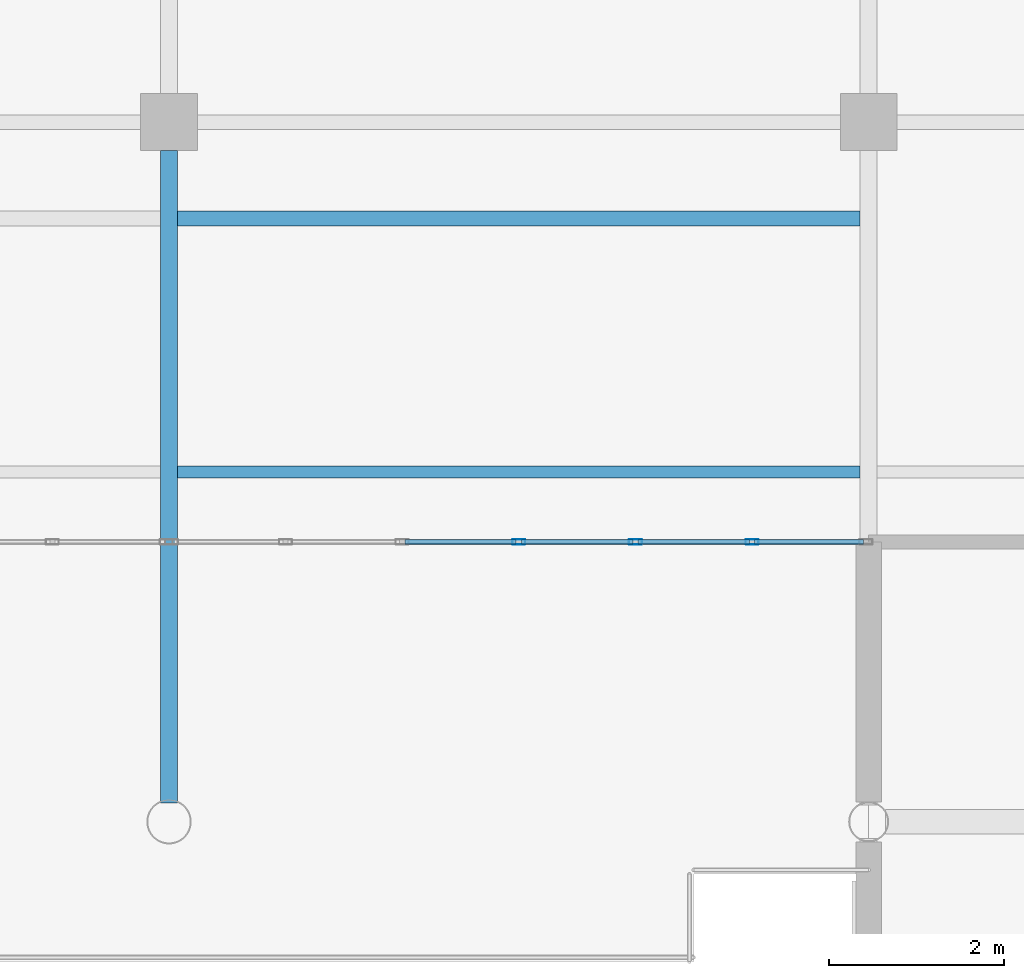
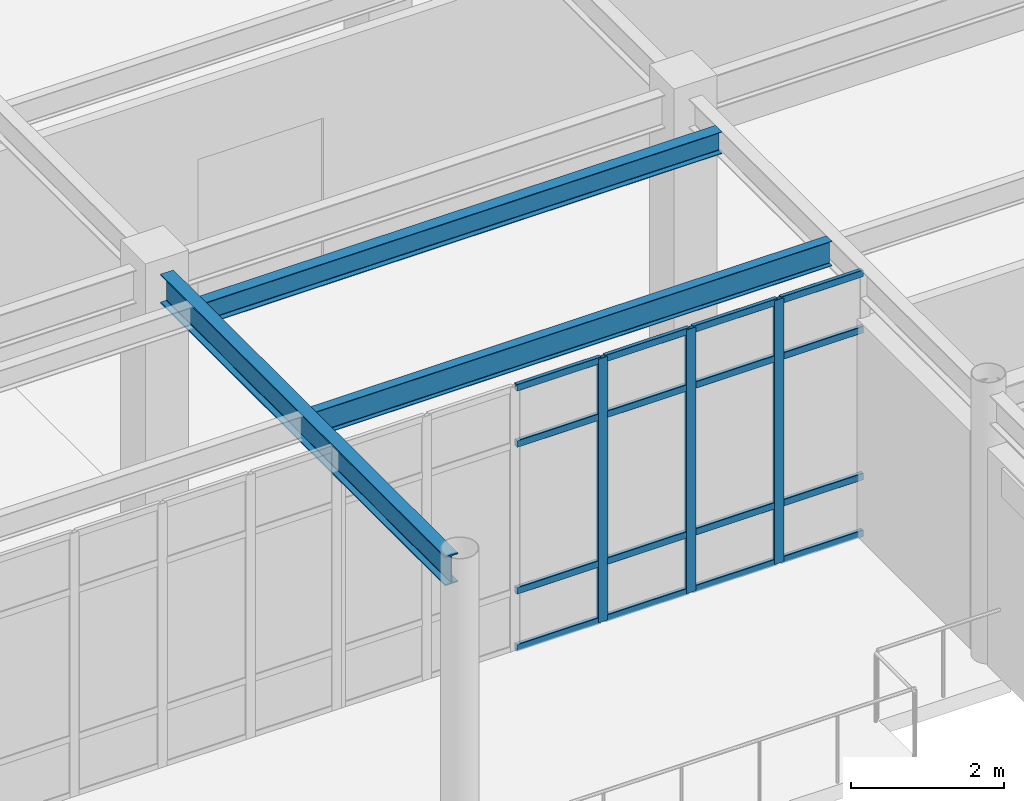
# One storey, part 40 of 75: 19 members, 3 beams, 1 element without a shape of its own.
"""IFC4 building model written with IfcOpenShell, lengths in metres."""

from ifc_helpers import new_model, si_unit, direction, frame, origin, origin_2d, place, context, subcontext, project, spatial, hollow_rectangle, i_section, extrude, material, material_profile, profile_set, type_object, element, aggregate, save


model = new_model("IFC4")

# Units and contexts
model_context = context("Model", 3, precision=1e-05, world=origin(), true_north=direction((0.0, 1.0)))
body_context = subcontext(model_context, "Body", "Model", "MODEL_VIEW")
ifc_project = project(units=[si_unit("LENGTHUNIT", "METRE"), si_unit("AREAUNIT", "SQUARE_METRE"), si_unit("VOLUMEUNIT", "CUBIC_METRE"), si_unit("PLANEANGLEUNIT", "RADIAN"), si_unit("MASSUNIT", "GRAM", prefix="KILO")], contexts=[model_context])

# Site, building, storey
site_placement = place(None, origin())
site = spatial("IfcSite", under=ifc_project, at=site_placement, CompositionType="ELEMENT")
building_placement = place(site_placement, origin())
building = spatial("IfcBuilding", under=site, at=building_placement, Name="Solmirada Galleria", CompositionType="ELEMENT")
storey_placement = place(building_placement, frame((0.0, 0.0, 19.39990234375)))
storey = spatial("IfcBuildingStorey", under=building, at=storey_placement, Name="L04", CompositionType="ELEMENT", Elevation=19.39990234375)

# Beams
ifc_material_1 = material(Name="Steel S355 / ASTM A992 Grade 50", Category="steel")
ifc_material_profile_1 = material_profile(ifc_material_1, i_section(OverallWidth=0.193115234375, OverallDepth=0.466064453125, WebThickness=0.011474609375, FlangeThickness=0.01904296875, FilletRadius=0.013916015625, at=origin_2d()), Name="W18X65")
ifc_profile_set_1 = profile_set([ifc_material_profile_1], Name="Steel S355 / ASTM A992 Grade 50")
beam_type_1 = type_object("IfcBeamType", Name="BM-GIRD-W18C", PredefinedType="BEAM", material=ifc_profile_set_1)
beam_1_placement = place(storey_placement, frame((80.0, 88.21337890625, 4.027099609375), z_axis=(0.0, 1.0, 0.0), x_axis=(-1.0, 0.0, 0.0)))
element("IfcBeam", 1, at=beam_1_placement, inside=storey, type_object=beam_type_1, Name="Primary girder L05 Y(80, 88..96)", PredefinedType="BEAM", context=body_context, shape_type="SweptSolid", body=[
    extrude(i_section(OverallWidth=0.193115234375, OverallDepth=0.466064453125, WebThickness=0.011474609375, FlangeThickness=0.01904296875, FilletRadius=0.013916015625, at=origin_2d()), origin(), (0.0, 0.0, 1.0), 7.461669921875),
])
ifc_material_profile_2 = material_profile(ifc_material_1, i_section(OverallWidth=0.1708984375, OverallDepth=0.35205078125, WebThickness=0.0068359375, FlangeThickness=0.009765625, FilletRadius=0.010986328125, at=origin_2d()), Name="W14X30")
ifc_profile_set_2 = profile_set([ifc_material_profile_2], Name="Steel S355 / ASTM A992 Grade 50")
beam_type_2 = type_object("IfcBeamType", Name="BM-JST-W14B", PredefinedType="JOIST", material=ifc_profile_set_2)
beam_2_placement = place(storey_placement, frame((80.096435546875, 94.89990234375, 4.083984375), z_axis=(1.0, 0.0, 0.0), x_axis=(0.0, 1.0, 0.0)))
element("IfcBeam", 2, at=beam_2_placement, inside=storey, type_object=beam_type_2, Name="Terrace deck joist L05-TERR-NW X=80..88 (2)", PredefinedType="JOIST", context=body_context, shape_type="SweptSolid", body=[
    extrude(i_section(OverallWidth=0.1708984375, OverallDepth=0.35205078125, WebThickness=0.0068359375, FlangeThickness=0.009765625, FilletRadius=0.010986328125, at=origin_2d()), origin(), (0.0, 0.0, 1.0), 7.80712890625),
])
ifc_material_profile_3 = material_profile(ifc_material_1, i_section(OverallWidth=0.139892578125, OverallDepth=0.39892578125, WebThickness=0.00634765625, FlangeThickness=0.0087890625, FilletRadius=0.010986328125, at=origin_2d()), Name="W16X26")
ifc_profile_set_3 = profile_set([ifc_material_profile_3], Name="Steel S355 / ASTM A992 Grade 50")
beam_type_3 = type_object("IfcBeamType", Name="BM-JST-W16C", PredefinedType="JOIST", material=ifc_profile_set_3)
beam_3_placement = place(storey_placement, frame((80.096435546875, 92.0, 4.060546875), z_axis=(1.0, 0.0, 0.0), x_axis=(0.0, 1.0, 0.0)))
element("IfcBeam", 3, at=beam_3_placement, inside=storey, type_object=beam_type_3, Name="Composite floor joist L05 (80..88, 92.0)", PredefinedType="JOIST", context=body_context, shape_type="SweptSolid", body=[
    extrude(i_section(OverallWidth=0.139892578125, OverallDepth=0.39892578125, WebThickness=0.00634765625, FlangeThickness=0.0087890625, FilletRadius=0.010986328125, at=origin_2d()), origin(), (0.0, 0.0, 1.0), 7.80712890625),
])

# Curtain wall, members
ifc_material_2 = material(Name="Impact-resistant low-E double glazing", Category="glass")
curtain_wall_type = type_object("IfcCurtainWallType", Name="CW-FZ4-L04-B6-L080", PredefinedType="NOTDEFINED", material=ifc_material_2)
curtain_wall_placement = place(storey_placement, origin())
curtain_wall = element("IfcCurtainWall", 4, at=curtain_wall_placement, inside=storey, type_object=curtain_wall_type, Name="Terrace and arcade storefront CW-L04-146", PredefinedType="NOTDEFINED")
ifc_material_3 = material(Name="Anodised aluminium framing", Category="aluminium")
ifc_material_profile_4 = material_profile(ifc_material_3, hollow_rectangle(XDim=0.06005859375, YDim=0.14990234375, WallThickness=0.00341796875, InnerFilletRadius=0.00341796875, OuterFilletRadius=0.007080078125, at=origin_2d()), Name="ALU-MULL-150X60")
ifc_profile_set_4 = profile_set([ifc_material_profile_4], Name="Anodised aluminium framing")
member_type_1 = type_object("IfcMemberType", Name="CW-MULL-150", PredefinedType="MULLION", material=ifc_profile_set_4)
member_1_placement = place(storey_placement, frame((86.666748046875, 91.199951171875, 0.0), z_axis=(0.0, 0.0, 1.0), x_axis=(0.0, -1.0, 0.0)))
member_1 = element("IfcMember", 5, at=member_1_placement, type_object=member_type_1, Name="CW31 mullion 2", PredefinedType="MULLION", context=body_context, shape_type="SweptSolid", body=[
    extrude(hollow_rectangle(XDim=0.06005859375, YDim=0.14990234375, WallThickness=0.00341796875, InnerFilletRadius=0.00341796875, OuterFilletRadius=0.007080078125, at=origin_2d()), origin(), (0.0, 0.0, 1.0), 4.22021484375),
])
member_2_placement = place(storey_placement, frame((85.333251953125, 91.199951171875, 0.0), z_axis=(0.0, 0.0, 1.0), x_axis=(0.0, -1.0, 0.0)))
member_2 = element("IfcMember", 6, at=member_2_placement, type_object=member_type_1, Name="CW31 mullion 3", PredefinedType="MULLION", context=body_context, shape_type="SweptSolid", body=[
    extrude(hollow_rectangle(XDim=0.06005859375, YDim=0.14990234375, WallThickness=0.00341796875, InnerFilletRadius=0.00341796875, OuterFilletRadius=0.007080078125, at=origin_2d()), origin(), (0.0, 0.0, 1.0), 4.22021484375),
])
member_3_placement = place(storey_placement, frame((84.0, 91.199951171875, 0.0), z_axis=(0.0, 0.0, 1.0), x_axis=(0.0, -1.0, 0.0)))
member_3 = element("IfcMember", 7, at=member_3_placement, type_object=member_type_1, Name="CW31 mullion 4", PredefinedType="MULLION", context=body_context, shape_type="SweptSolid", body=[
    extrude(hollow_rectangle(XDim=0.06005859375, YDim=0.14990234375, WallThickness=0.00341796875, InnerFilletRadius=0.00341796875, OuterFilletRadius=0.007080078125, at=origin_2d()), origin(), (0.0, 0.0, 1.0), 4.22021484375),
])
ifc_material_profile_5 = material_profile(ifc_material_3, hollow_rectangle(XDim=0.06005859375, YDim=0.110107421875, WallThickness=0.003173828125, InnerFilletRadius=0.003173828125, OuterFilletRadius=0.00634765625, at=origin_2d()), Name="ALU-TRAN-110X60")
ifc_profile_set_5 = profile_set([ifc_material_profile_5], Name="Anodised aluminium framing")
member_type_2 = type_object("IfcMemberType", Name="CW-TRAN-110", PredefinedType="USERDEFINED", material=ifc_profile_set_5)
member_4_placement = place(storey_placement, frame((87.93994140625, 91.199951171875, 0.030029296875), z_axis=(-1.0, 0.0, 0.0), x_axis=(0.0, -1.0, 0.0)))
member_4 = element("IfcMember", 8, at=member_4_placement, type_object=member_type_2, Name="CW31 transom 1.1", ObjectType="TRANSOM", PredefinedType="USERDEFINED", context=body_context, shape_type="SweptSolid", body=[
    extrude(hollow_rectangle(XDim=0.06005859375, YDim=0.110107421875, WallThickness=0.003173828125, InnerFilletRadius=0.003173828125, OuterFilletRadius=0.00634765625, at=origin_2d()), origin(), (0.0, 0.0, 1.0), 1.2431640625),
])
member_5_placement = place(storey_placement, frame((87.93994140625, 91.199951171875, 0.940185546875), z_axis=(-1.0, 0.0, 0.0), x_axis=(0.0, -1.0, 0.0)))
member_5 = element("IfcMember", 9, at=member_5_placement, type_object=member_type_2, Name="CW31 transom 1.2", ObjectType="TRANSOM", PredefinedType="USERDEFINED", context=body_context, shape_type="SweptSolid", body=[
    extrude(hollow_rectangle(XDim=0.06005859375, YDim=0.110107421875, WallThickness=0.003173828125, InnerFilletRadius=0.003173828125, OuterFilletRadius=0.00634765625, at=origin_2d()), origin(), (0.0, 0.0, 1.0), 1.2431640625),
])
member_6_placement = place(storey_placement, frame((87.93994140625, 91.199951171875, 3.2900390625), z_axis=(-1.0, 0.0, 0.0), x_axis=(0.0, -1.0, 0.0)))
member_6 = element("IfcMember", 10, at=member_6_placement, type_object=member_type_2, Name="CW31 transom 1.3", ObjectType="TRANSOM", PredefinedType="USERDEFINED", context=body_context, shape_type="SweptSolid", body=[
    extrude(hollow_rectangle(XDim=0.06005859375, YDim=0.110107421875, WallThickness=0.003173828125, InnerFilletRadius=0.003173828125, OuterFilletRadius=0.00634765625, at=origin_2d()), origin(), (0.0, 0.0, 1.0), 1.2431640625),
])
member_7_placement = place(storey_placement, frame((87.93994140625, 91.199951171875, 4.190185546875), z_axis=(-1.0, 0.0, 0.0), x_axis=(0.0, -1.0, 0.0)))
member_7 = element("IfcMember", 11, at=member_7_placement, type_object=member_type_2, Name="CW31 transom 1.4", ObjectType="TRANSOM", PredefinedType="USERDEFINED", context=body_context, shape_type="SweptSolid", body=[
    extrude(hollow_rectangle(XDim=0.06005859375, YDim=0.110107421875, WallThickness=0.003173828125, InnerFilletRadius=0.003173828125, OuterFilletRadius=0.00634765625, at=origin_2d()), origin(), (0.0, 0.0, 1.0), 1.2431640625),
])
member_8_placement = place(storey_placement, frame((86.63671875, 91.199951171875, 0.030029296875), z_axis=(-1.0, 0.0, 0.0), x_axis=(0.0, -1.0, 0.0)))
member_8 = element("IfcMember", 12, at=member_8_placement, type_object=member_type_2, Name="CW31 transom 2.1", ObjectType="TRANSOM", PredefinedType="USERDEFINED", context=body_context, shape_type="SweptSolid", body=[
    extrude(hollow_rectangle(XDim=0.06005859375, YDim=0.110107421875, WallThickness=0.003173828125, InnerFilletRadius=0.003173828125, OuterFilletRadius=0.00634765625, at=origin_2d()), origin(), (0.0, 0.0, 1.0), 1.2734375),
])
member_9_placement = place(storey_placement, frame((86.63671875, 91.199951171875, 0.940185546875), z_axis=(-1.0, 0.0, 0.0), x_axis=(0.0, -1.0, 0.0)))
member_9 = element("IfcMember", 13, at=member_9_placement, type_object=member_type_2, Name="CW31 transom 2.2", ObjectType="TRANSOM", PredefinedType="USERDEFINED", context=body_context, shape_type="SweptSolid", body=[
    extrude(hollow_rectangle(XDim=0.06005859375, YDim=0.110107421875, WallThickness=0.003173828125, InnerFilletRadius=0.003173828125, OuterFilletRadius=0.00634765625, at=origin_2d()), origin(), (0.0, 0.0, 1.0), 1.2734375),
])
member_10_placement = place(storey_placement, frame((86.63671875, 91.199951171875, 3.2900390625), z_axis=(-1.0, 0.0, 0.0), x_axis=(0.0, -1.0, 0.0)))
member_10 = element("IfcMember", 14, at=member_10_placement, type_object=member_type_2, Name="CW31 transom 2.3", ObjectType="TRANSOM", PredefinedType="USERDEFINED", context=body_context, shape_type="SweptSolid", body=[
    extrude(hollow_rectangle(XDim=0.06005859375, YDim=0.110107421875, WallThickness=0.003173828125, InnerFilletRadius=0.003173828125, OuterFilletRadius=0.00634765625, at=origin_2d()), origin(), (0.0, 0.0, 1.0), 1.2734375),
])
member_11_placement = place(storey_placement, frame((86.63671875, 91.199951171875, 4.190185546875), z_axis=(-1.0, 0.0, 0.0), x_axis=(0.0, -1.0, 0.0)))
member_11 = element("IfcMember", 15, at=member_11_placement, type_object=member_type_2, Name="CW31 transom 2.4", ObjectType="TRANSOM", PredefinedType="USERDEFINED", context=body_context, shape_type="SweptSolid", body=[
    extrude(hollow_rectangle(XDim=0.06005859375, YDim=0.110107421875, WallThickness=0.003173828125, InnerFilletRadius=0.003173828125, OuterFilletRadius=0.00634765625, at=origin_2d()), origin(), (0.0, 0.0, 1.0), 1.2734375),
])
member_12_placement = place(storey_placement, frame((85.30322265625, 91.199951171875, 0.030029296875), z_axis=(-1.0, 0.0, 0.0), x_axis=(0.0, -1.0, 0.0)))
member_12 = element("IfcMember", 16, at=member_12_placement, type_object=member_type_2, Name="CW31 transom 3.1", ObjectType="TRANSOM", PredefinedType="USERDEFINED", context=body_context, shape_type="SweptSolid", body=[
    extrude(hollow_rectangle(XDim=0.06005859375, YDim=0.110107421875, WallThickness=0.003173828125, InnerFilletRadius=0.003173828125, OuterFilletRadius=0.00634765625, at=origin_2d()), origin(), (0.0, 0.0, 1.0), 1.273193359375),
])
member_13_placement = place(storey_placement, frame((85.30322265625, 91.199951171875, 0.940185546875), z_axis=(-1.0, 0.0, 0.0), x_axis=(0.0, -1.0, 0.0)))
member_13 = element("IfcMember", 17, at=member_13_placement, type_object=member_type_2, Name="CW31 transom 3.2", ObjectType="TRANSOM", PredefinedType="USERDEFINED", context=body_context, shape_type="SweptSolid", body=[
    extrude(hollow_rectangle(XDim=0.06005859375, YDim=0.110107421875, WallThickness=0.003173828125, InnerFilletRadius=0.003173828125, OuterFilletRadius=0.00634765625, at=origin_2d()), origin(), (0.0, 0.0, 1.0), 1.273193359375),
])
member_14_placement = place(storey_placement, frame((85.30322265625, 91.199951171875, 3.2900390625), z_axis=(-1.0, 0.0, 0.0), x_axis=(0.0, -1.0, 0.0)))
member_14 = element("IfcMember", 18, at=member_14_placement, type_object=member_type_2, Name="CW31 transom 3.3", ObjectType="TRANSOM", PredefinedType="USERDEFINED", context=body_context, shape_type="SweptSolid", body=[
    extrude(hollow_rectangle(XDim=0.06005859375, YDim=0.110107421875, WallThickness=0.003173828125, InnerFilletRadius=0.003173828125, OuterFilletRadius=0.00634765625, at=origin_2d()), origin(), (0.0, 0.0, 1.0), 1.273193359375),
])
member_15_placement = place(storey_placement, frame((85.30322265625, 91.199951171875, 4.190185546875), z_axis=(-1.0, 0.0, 0.0), x_axis=(0.0, -1.0, 0.0)))
member_15 = element("IfcMember", 19, at=member_15_placement, type_object=member_type_2, Name="CW31 transom 3.4", ObjectType="TRANSOM", PredefinedType="USERDEFINED", context=body_context, shape_type="SweptSolid", body=[
    extrude(hollow_rectangle(XDim=0.06005859375, YDim=0.110107421875, WallThickness=0.003173828125, InnerFilletRadius=0.003173828125, OuterFilletRadius=0.00634765625, at=origin_2d()), origin(), (0.0, 0.0, 1.0), 1.273193359375),
])
member_16_placement = place(storey_placement, frame((83.969970703125, 91.199951171875, 0.030029296875), z_axis=(-1.0, 0.0, 0.0), x_axis=(0.0, -1.0, 0.0)))
member_16 = element("IfcMember", 20, at=member_16_placement, type_object=member_type_2, Name="CW31 transom 4.1", ObjectType="TRANSOM", PredefinedType="USERDEFINED", context=body_context, shape_type="SweptSolid", body=[
    extrude(hollow_rectangle(XDim=0.06005859375, YDim=0.110107421875, WallThickness=0.003173828125, InnerFilletRadius=0.003173828125, OuterFilletRadius=0.00634765625, at=origin_2d()), origin(), (0.0, 0.0, 1.0), 1.273193359375),
])
member_17_placement = place(storey_placement, frame((83.969970703125, 91.199951171875, 0.940185546875), z_axis=(-1.0, 0.0, 0.0), x_axis=(0.0, -1.0, 0.0)))
member_17 = element("IfcMember", 21, at=member_17_placement, type_object=member_type_2, Name="CW31 transom 4.2", ObjectType="TRANSOM", PredefinedType="USERDEFINED", context=body_context, shape_type="SweptSolid", body=[
    extrude(hollow_rectangle(XDim=0.06005859375, YDim=0.110107421875, WallThickness=0.003173828125, InnerFilletRadius=0.003173828125, OuterFilletRadius=0.00634765625, at=origin_2d()), origin(), (0.0, 0.0, 1.0), 1.273193359375),
])
member_18_placement = place(storey_placement, frame((83.969970703125, 91.199951171875, 3.2900390625), z_axis=(-1.0, 0.0, 0.0), x_axis=(0.0, -1.0, 0.0)))
member_18 = element("IfcMember", 22, at=member_18_placement, type_object=member_type_2, Name="CW31 transom 4.3", ObjectType="TRANSOM", PredefinedType="USERDEFINED", context=body_context, shape_type="SweptSolid", body=[
    extrude(hollow_rectangle(XDim=0.06005859375, YDim=0.110107421875, WallThickness=0.003173828125, InnerFilletRadius=0.003173828125, OuterFilletRadius=0.00634765625, at=origin_2d()), origin(), (0.0, 0.0, 1.0), 1.273193359375),
])
member_19_placement = place(storey_placement, frame((83.969970703125, 91.199951171875, 4.190185546875), z_axis=(-1.0, 0.0, 0.0), x_axis=(0.0, -1.0, 0.0)))
member_19 = element("IfcMember", 23, at=member_19_placement, type_object=member_type_2, Name="CW31 transom 4.4", ObjectType="TRANSOM", PredefinedType="USERDEFINED", context=body_context, shape_type="SweptSolid", body=[
    extrude(hollow_rectangle(XDim=0.06005859375, YDim=0.110107421875, WallThickness=0.003173828125, InnerFilletRadius=0.003173828125, OuterFilletRadius=0.00634765625, at=origin_2d()), origin(), (0.0, 0.0, 1.0), 1.273193359375),
])
aggregate(curtain_wall, [member_1, member_2, member_3, member_4, member_5, member_6, member_7, member_8, member_9, member_10, member_11, member_12, member_13, member_14, member_15, member_16, member_17, member_18, member_19])

save(model, "model.ifc")
